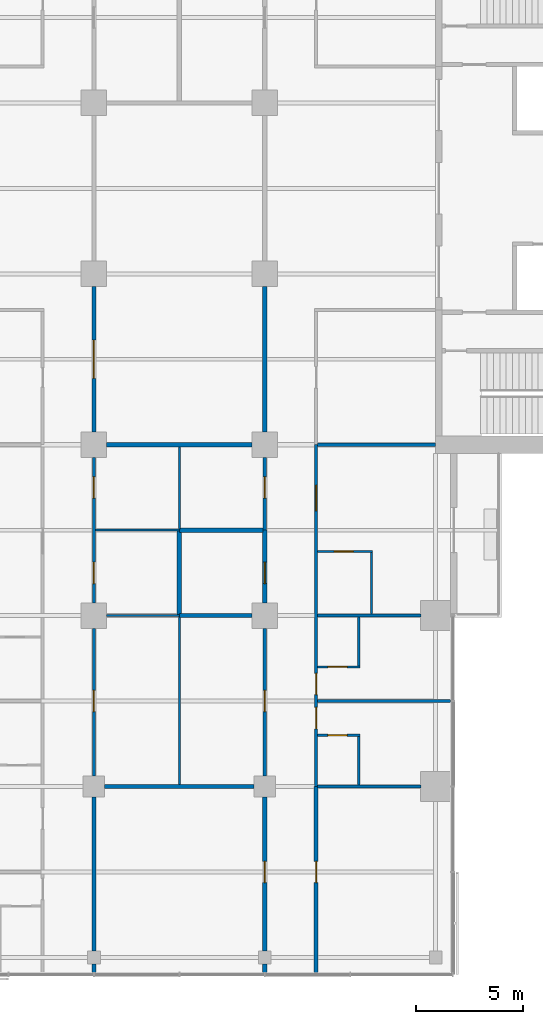
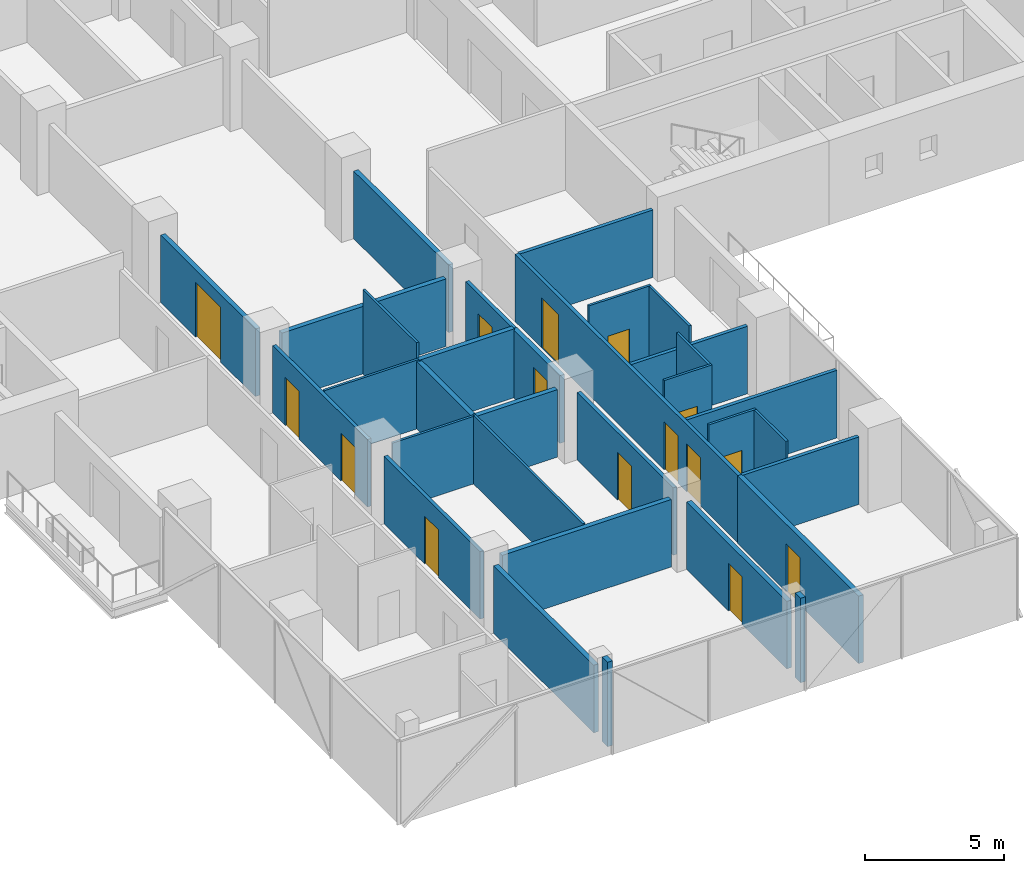
# One storey, part 16 of 27: 32 walls, 15 doors, 15 openings.
"""IFC4 building model written with IfcOpenShell, lengths in metres."""

from ifc_helpers import new_model, si_unit, direction, frame, frame_2d, origin, place, context, subcontext, project, spatial, rectangle, extrude, material, layer, layer_set, type_object, element, fill, save


model = new_model("IFC4")

# Units and contexts
model_context = context("Model", 3, precision=1e-05, world=origin(), true_north=direction((0.0, 1.0)))
body_context = subcontext(model_context, "Body", "Model", "MODEL_VIEW")
ifc_project = project(units=[si_unit("LENGTHUNIT", "METRE"), si_unit("AREAUNIT", "SQUARE_METRE"), si_unit("VOLUMEUNIT", "CUBIC_METRE"), si_unit("PLANEANGLEUNIT", "RADIAN"), si_unit("MASSUNIT", "GRAM", prefix="KILO")], contexts=[model_context])

# Site, building, storey
site_placement = place(None, origin())
site = spatial("IfcSite", under=ifc_project, at=site_placement, CompositionType="ELEMENT")
building_placement = place(site_placement, origin())
building = spatial("IfcBuilding", under=site, at=building_placement, Name="Crosswind Convention Tower", CompositionType="ELEMENT")
storey_placement = place(building_placement, frame((0.0, 0.0, 83.10009765625)))
storey = spatial("IfcBuildingStorey", under=building, at=storey_placement, Name="L15", CompositionType="ELEMENT", Elevation=83.10009765625)

# Walls
ifc_material_1 = material(Name="Concrete blockwork", Category="masonry")
ifc_layer_1 = layer(ifc_material_1, 0.199951171875)
ifc_layer_set_1 = layer_set([ifc_layer_1], Name="COMPARTMENT WALL 200")
wall_type_1 = type_object("IfcWallType", Name="COMPARTMENT WALL 200", PredefinedType="SOLIDWALL", material=ifc_layer_set_1)
wall_1_placement = place(storey_placement, frame((125.0, 80.0, 0.0), z_axis=(0.0, 0.0, 1.0), x_axis=(1.0, 0.0, 0.0)))
element("IfcWall", 1, at=wall_1_placement, inside=storey, type_object=wall_type_1, Name="Compartment Wall 12", PredefinedType="SOLIDWALL", context=body_context, shape_type="SweptSolid", body=[
    extrude(rectangle(XDim=3.39990234375, YDim=0.199951171875, at=frame_2d((1.699951171875, 0.0))), origin(), (0.0, 0.0, 1.0), 2.959716796875),
])
wall_2_placement = place(storey_placement, frame((125.0, 84.0, 0.0), z_axis=(0.0, 0.0, 1.0), x_axis=(1.0, 0.0, 0.0)))
element("IfcWall", 2, at=wall_2_placement, inside=storey, type_object=wall_type_1, Name="Compartment Wall 16", PredefinedType="SOLIDWALL", context=body_context, shape_type="SweptSolid", body=[
    extrude(rectangle(XDim=3.925048828125, YDim=0.199951171875, at=frame_2d((1.96240234375, 0.0))), origin(), (0.0, 0.0, 1.0), 3.013427734375),
])
wall_3_placement = place(storey_placement, frame((125.0, 80.050048828125, 0.0), z_axis=(0.0, 0.0, 1.0), x_axis=(0.0, 1.0, 0.0)))
element("IfcWall", 3, at=wall_3_placement, inside=storey, type_object=wall_type_1, Name="Compartment Wall 91", PredefinedType="SOLIDWALL", context=body_context, shape_type="SweptSolid", body=[
    extrude(rectangle(XDim=3.89990234375, YDim=0.199951171875, at=frame_2d((1.949951171875, 0.0))), origin(), (0.0, 0.0, 1.0), 2.959716796875),
])

# Wall, opening, door
wall_4_placement = place(storey_placement, frame((129.0, 80.60009765625, 0.0), z_axis=(0.0, 0.0, 1.0), x_axis=(0.0, 1.0, 0.0)))
wall_4 = element("IfcWall", 4, at=wall_4_placement, inside=storey, type_object=wall_type_1, Name="Compartment Wall 99", PredefinedType="SOLIDWALL", context=body_context, shape_type="SweptSolid", body=[
    extrude(rectangle(XDim=3.39990234375, YDim=0.199951171875, at=frame_2d((1.699951171875, 0.0))), origin(), (0.0, 0.0, 1.0), 2.959716796875),
])
opening_1_placement = place(wall_4_placement, frame((0.89990234375, 0.0, 0.0)))
opening_1 = element("IfcOpeningElement", 5, at=opening_1_placement, cuts=wall_4, Name="Opening 15.053", PredefinedType="OPENING", context=body_context, shape_type="SweptSolid", body=[
    extrude(rectangle(XDim=1.0, YDim=2.199951171875, at=frame_2d((0.5, 1.10009765625))), frame((0.0, 0.10986328125, 0.0), z_axis=(0.0, -1.0, 0.0), x_axis=(1.0, 0.0, 0.0)), (0.0, 0.0, 1.0), 0.219970703125),
])
ifc_material_2 = material(Name="Steel fire door", Category="steel")
door_type_1 = type_object("IfcDoorType", Name="PLANT ROOM DOOR 1000X2200", OperationType="NOTDEFINED", PredefinedType="DOOR", material=ifc_material_2)
door_1_placement = place(opening_1_placement, origin())
door_1 = element("IfcDoor", 6, at=door_1_placement, inside=storey, type_object=door_type_1, Name="Door 15.053", ObjectType="D6", OperationType="SINGLE_SWING_LEFT", OverallHeight=2.199951171875, OverallWidth=1.0, PredefinedType="DOOR", context=body_context, shape_type="SweptSolid", body=[
    extrude(rectangle(XDim=1.0, YDim=2.199951171875, at=frame_2d((0.5, 1.10009765625))), frame((0.0, 0.02490234375, 0.0), z_axis=(0.0, -1.0, 0.0), x_axis=(1.0, 0.0, 0.0)), (0.0, 0.0, 1.0), 0.050048828125),
])
fill(opening_1, door_1)

ifc_material_3 = material(Name="Plasterboard partition", Category="gypsum")
ifc_layer_2 = layer(ifc_material_3, 0.14990234375)
ifc_layer_set_2 = layer_set([ifc_layer_2], Name="CORRIDOR WALL 150")
wall_type_2 = type_object("IfcWallType", Name="CORRIDOR WALL 150", PredefinedType="PARTITIONING", material=ifc_layer_set_2)
wall_5_placement = place(storey_placement, frame((121.0, 72.5, 0.0), z_axis=(0.0, 0.0, 1.0), x_axis=(0.0, 1.0, 0.0)))
wall_5 = element("IfcWall", 7, at=wall_5_placement, inside=storey, type_object=wall_type_2, Name="Corridor Wall 81", PredefinedType="PARTITIONING", context=body_context, shape_type="SweptSolid", body=[
    extrude(rectangle(XDim=6.89990234375, YDim=0.14990234375, at=frame_2d((3.449951171875, 0.0))), origin(), (0.0, 0.0, 1.0), 2.959716796875),
])
opening_2_placement = place(wall_5_placement, frame((3.0, 0.0, 0.0)))
opening_2 = element("IfcOpeningElement", 8, at=opening_2_placement, cuts=wall_5, Name="Opening 15.049", PredefinedType="OPENING", context=body_context, shape_type="SweptSolid", body=[
    extrude(rectangle(XDim=1.0, YDim=2.10009765625, at=frame_2d((0.5, 1.050048828125))), frame((0.0, 0.0849609375, 0.0), z_axis=(0.0, -1.0, 0.0), x_axis=(1.0, 0.0, 0.0)), (0.0, 0.0, 1.0), 0.169921875),
])
ifc_material_4 = material(Name="Timber fire door", Category="wood")
door_type_2 = type_object("IfcDoorType", Name="SERVICE ROOM DOOR 1000X2100", OperationType="NOTDEFINED", PredefinedType="DOOR", material=ifc_material_4)
door_2_placement = place(opening_2_placement, frame((1.0, 0.0, 0.0), z_axis=(0.0, 0.0, 1.0), x_axis=(-1.0, 0.0, 0.0)))
door_2 = element("IfcDoor", 9, at=door_2_placement, inside=storey, type_object=door_type_2, Name="Door 15.049", ObjectType="D3", OperationType="SINGLE_SWING_LEFT", OverallHeight=2.10009765625, OverallWidth=1.0, PredefinedType="DOOR", context=body_context, shape_type="SweptSolid", body=[
    extrude(rectangle(XDim=1.0, YDim=2.10009765625, at=frame_2d((0.5, 1.050048828125))), frame((0.0, 0.02490234375, 0.0), z_axis=(0.0, -1.0, 0.0), x_axis=(1.0, 0.0, 0.0)), (0.0, 0.0, 1.0), 0.050048828125),
])
fill(opening_2, door_2)

# Wall, openings, doors
wall_6_placement = place(storey_placement, frame((121.0, 80.60009765625, 0.0), z_axis=(0.0, 0.0, 1.0), x_axis=(0.0, 1.0, 0.0)))
wall_6 = element("IfcWall", 10, at=wall_6_placement, inside=storey, type_object=wall_type_2, Name="Corridor Wall 82", PredefinedType="PARTITIONING", context=body_context, shape_type="SweptSolid", body=[
    extrude(rectangle(XDim=6.7998046875, YDim=0.14990234375, at=frame_2d((3.39990234375, 0.0))), origin(), (0.0, 0.0, 1.0), 2.959716796875),
])
opening_3_placement = place(wall_6_placement, frame((0.89990234375, 0.0, 0.0)))
opening_3 = element("IfcOpeningElement", 11, at=opening_3_placement, cuts=wall_6, Name="Opening 15.051", PredefinedType="OPENING", context=body_context, shape_type="SweptSolid", body=[
    extrude(rectangle(XDim=1.0, YDim=2.10009765625, at=frame_2d((0.5, 1.050048828125))), frame((0.0, 0.0849609375, 0.0), z_axis=(0.0, -1.0, 0.0), x_axis=(1.0, 0.0, 0.0)), (0.0, 0.0, 1.0), 0.169921875),
])
opening_4_placement = place(wall_6_placement, frame((4.89990234375, 0.0, 0.0)))
opening_4 = element("IfcOpeningElement", 12, at=opening_4_placement, cuts=wall_6, Name="Opening 15.052", PredefinedType="OPENING", context=body_context, shape_type="SweptSolid", body=[
    extrude(rectangle(XDim=1.0, YDim=2.10009765625, at=frame_2d((0.5, 1.050048828125))), frame((0.0, 0.0849609375, 0.0), z_axis=(0.0, -1.0, 0.0), x_axis=(1.0, 0.0, 0.0)), (0.0, 0.0, 1.0), 0.169921875),
])
door_3_placement = place(opening_3_placement, frame((1.0, 0.0, 0.0), z_axis=(0.0, 0.0, 1.0), x_axis=(-1.0, 0.0, 0.0)))
door_3 = element("IfcDoor", 13, at=door_3_placement, inside=storey, type_object=door_type_2, Name="Door 15.051", ObjectType="D3", OperationType="SINGLE_SWING_RIGHT", OverallHeight=2.10009765625, OverallWidth=1.0, PredefinedType="DOOR", context=body_context, shape_type="SweptSolid", body=[
    extrude(rectangle(XDim=1.0, YDim=2.10009765625, at=frame_2d((0.5, 1.050048828125))), frame((0.0, 0.02490234375, 0.0), z_axis=(0.0, -1.0, 0.0), x_axis=(1.0, 0.0, 0.0)), (0.0, 0.0, 1.0), 0.050048828125),
])
fill(opening_3, door_3)
door_4_placement = place(opening_4_placement, frame((1.0, 0.0, 0.0), z_axis=(0.0, 0.0, 1.0), x_axis=(-1.0, 0.0, 0.0)))
door_4 = element("IfcDoor", 14, at=door_4_placement, inside=storey, type_object=door_type_2, Name="Door 15.052", ObjectType="D3", OperationType="SINGLE_SWING_LEFT", OverallHeight=2.10009765625, OverallWidth=1.0, PredefinedType="DOOR", context=body_context, shape_type="SweptSolid", body=[
    extrude(rectangle(XDim=1.0, YDim=2.10009765625, at=frame_2d((0.5, 1.050048828125))), frame((0.0, 0.02490234375, 0.0), z_axis=(0.0, -1.0, 0.0), x_axis=(1.0, 0.0, 0.0)), (0.0, 0.0, 1.0), 0.050048828125),
])
fill(opening_4, door_4)

# Wall, opening, door
wall_7_placement = place(storey_placement, frame((129.0, 72.5, 0.0), z_axis=(0.0, 0.0, 1.0), x_axis=(0.0, 1.0, 0.0)))
wall_7 = element("IfcWall", 15, at=wall_7_placement, inside=storey, type_object=wall_type_2, Name="Corridor Wall 98", PredefinedType="PARTITIONING", context=body_context, shape_type="SweptSolid", body=[
    extrude(rectangle(XDim=6.89990234375, YDim=0.14990234375, at=frame_2d((3.449951171875, 0.0))), origin(), (0.0, 0.0, 1.0), 2.959716796875),
])
opening_5_placement = place(wall_7_placement, frame((3.0, 0.0, 0.0)))
opening_5 = element("IfcOpeningElement", 16, at=opening_5_placement, cuts=wall_7, Name="Opening 15.050", PredefinedType="OPENING", context=body_context, shape_type="SweptSolid", body=[
    extrude(rectangle(XDim=1.0, YDim=2.10009765625, at=frame_2d((0.5, 1.050048828125))), frame((0.0, 0.0849609375, 0.0), z_axis=(0.0, -1.0, 0.0), x_axis=(1.0, 0.0, 0.0)), (0.0, 0.0, 1.0), 0.169921875),
])
door_5_placement = place(opening_5_placement, origin())
door_5 = element("IfcDoor", 17, at=door_5_placement, inside=storey, type_object=door_type_2, Name="Door 15.050", ObjectType="D3", OperationType="SINGLE_SWING_RIGHT", OverallHeight=2.10009765625, OverallWidth=1.0, PredefinedType="DOOR", context=body_context, shape_type="SweptSolid", body=[
    extrude(rectangle(XDim=1.0, YDim=2.10009765625, at=frame_2d((0.5, 1.050048828125))), frame((0.0, 0.02490234375, 0.0), z_axis=(0.0, -1.0, 0.0), x_axis=(1.0, 0.0, 0.0)), (0.0, 0.0, 1.0), 0.050048828125),
])
fill(opening_5, door_5)

wall_8_placement = place(storey_placement, frame((129.0, 84.0, 0.0), z_axis=(0.0, 0.0, 1.0), x_axis=(0.0, 1.0, 0.0)))
wall_8 = element("IfcWall", 18, at=wall_8_placement, inside=storey, type_object=wall_type_2, Name="Corridor Wall 100", PredefinedType="PARTITIONING", context=body_context, shape_type="SweptSolid", body=[
    extrude(rectangle(XDim=3.39990234375, YDim=0.14990234375, at=frame_2d((1.699951171875, 0.0))), origin(), (0.0, 0.0, 1.0), 2.959716796875),
])
opening_6_placement = place(wall_8_placement, frame((1.5, 0.0, 0.0)))
opening_6 = element("IfcOpeningElement", 19, at=opening_6_placement, cuts=wall_8, Name="Opening 15.054", PredefinedType="OPENING", context=body_context, shape_type="SweptSolid", body=[
    extrude(rectangle(XDim=1.0, YDim=2.10009765625, at=frame_2d((0.5, 1.050048828125))), frame((0.0, 0.0849609375, 0.0), z_axis=(0.0, -1.0, 0.0), x_axis=(1.0, 0.0, 0.0)), (0.0, 0.0, 1.0), 0.169921875),
])
door_6_placement = place(opening_6_placement, origin())
door_6 = element("IfcDoor", 20, at=door_6_placement, inside=storey, type_object=door_type_2, Name="Door 15.054", ObjectType="D3", OperationType="SINGLE_SWING_RIGHT", OverallHeight=2.10009765625, OverallWidth=1.0, PredefinedType="DOOR", context=body_context, shape_type="SweptSolid", body=[
    extrude(rectangle(XDim=1.0, YDim=2.10009765625, at=frame_2d((0.5, 1.050048828125))), frame((0.0, 0.02490234375, 0.0), z_axis=(0.0, -1.0, 0.0), x_axis=(1.0, 0.0, 0.0)), (0.0, 0.0, 1.0), 0.050048828125),
])
fill(opening_6, door_6)

# Walls
ifc_material_5 = material(Name="Acoustic plasterboard partition", Category="gypsum")
ifc_layer_3 = layer(ifc_material_5, 0.14990234375)
ifc_layer_set_3 = layer_set([ifc_layer_3], Name="GUEST ROOM WALL 150")
wall_type_3 = type_object("IfcWallType", Name="GUEST ROOM WALL 150", PredefinedType="PARTITIONING", material=ifc_layer_set_3)
wall_9_placement = place(storey_placement, frame((131.47509765625, 72.0, 0.0), z_axis=(0.0, 0.0, 1.0), x_axis=(1.0, 0.0, 0.0)))
element("IfcWall", 21, at=wall_9_placement, inside=storey, type_object=wall_type_3, Name="Guest Room Wall 4", PredefinedType="PARTITIONING", context=body_context, shape_type="SweptSolid", body=[
    extrude(rectangle(XDim=4.824951171875, YDim=0.14990234375, at=frame_2d((2.41259765625, 0.0))), origin(), (0.0, 0.0, 1.0), 2.959716796875),
])
wall_10_placement = place(storey_placement, frame((131.47509765625, 76.0, 0.0), z_axis=(0.0, 0.0, 1.0), x_axis=(1.0, 0.0, 0.0)))
element("IfcWall", 22, at=wall_10_placement, inside=storey, type_object=wall_type_3, Name="Guest Room Wall 8", PredefinedType="PARTITIONING", context=body_context, shape_type="SweptSolid", body=[
    extrude(rectangle(XDim=6.224853515625, YDim=0.14990234375, at=frame_2d((3.1123046875, 0.0))), origin(), (0.0, 0.0, 1.0), 2.962646484375),
])
wall_11_placement = place(storey_placement, frame((131.47509765625, 80.0, 0.0), z_axis=(0.0, 0.0, 1.0), x_axis=(1.0, 0.0, 0.0)))
element("IfcWall", 23, at=wall_11_placement, inside=storey, type_object=wall_type_3, Name="Guest Room Wall 13", PredefinedType="PARTITIONING", context=body_context, shape_type="SweptSolid", body=[
    extrude(rectangle(XDim=4.824951171875, YDim=0.14990234375, at=frame_2d((2.41259765625, 0.0))), origin(), (0.0, 0.0, 1.0), 2.959716796875),
])
wall_12_placement = place(storey_placement, frame((131.47509765625, 88.0, 0.0), z_axis=(0.0, 0.0, 1.0), x_axis=(1.0, 0.0, 0.0)))
element("IfcWall", 24, at=wall_12_placement, inside=storey, type_object=wall_type_3, Name="Guest Room Wall 19", PredefinedType="PARTITIONING", context=body_context, shape_type="SweptSolid", body=[
    extrude(rectangle(XDim=5.52490234375, YDim=0.14990234375, at=frame_2d((2.762451171875, 0.0))), origin(), (0.0, 0.0, 1.0), 2.956298828125),
])

# Wall, openings, doors
wall_13_placement = place(storey_placement, frame((131.39990234375, 72.0, 0.0), z_axis=(0.0, 0.0, 1.0), x_axis=(0.0, 1.0, 0.0)))
wall_13 = element("IfcWall", 25, at=wall_13_placement, inside=storey, type_object=wall_type_3, Name="Guest Room Wall 109", PredefinedType="PARTITIONING", context=body_context, shape_type="SweptSolid", body=[
    extrude(rectangle(XDim=16.0, YDim=0.14990234375, at=frame_2d((8.0, 0.0))), origin(), (0.0, 0.0, 1.0), 2.956298828125),
])
opening_7_placement = place(wall_13_placement, frame((12.89990234375, 0.0, 0.0)))
opening_7 = element("IfcOpeningElement", 26, at=opening_7_placement, cuts=wall_13, Name="Opening 15.020", PredefinedType="OPENING", context=body_context, shape_type="SweptSolid", body=[
    extrude(rectangle(XDim=1.199951171875, YDim=2.199951171875, at=frame_2d((0.60009765625, 1.10009765625))), frame((0.0, 0.0849609375, 0.0), z_axis=(0.0, -1.0, 0.0), x_axis=(1.0, 0.0, 0.0)), (0.0, 0.0, 1.0), 0.169921875),
])
opening_8_placement = place(wall_13_placement, frame((4.300048828125, 0.0, 0.0)))
opening_8 = element("IfcOpeningElement", 27, at=opening_8_placement, cuts=wall_13, Name="Opening 15.022", PredefinedType="OPENING", context=body_context, shape_type="SweptSolid", body=[
    extrude(rectangle(XDim=1.0, YDim=2.10009765625, at=frame_2d((0.5, 1.050048828125))), frame((0.0, 0.0849609375, 0.0), z_axis=(0.0, -1.0, 0.0), x_axis=(1.0, 0.0, 0.0)), (0.0, 0.0, 1.0), 0.169921875),
])
opening_9_placement = place(wall_13_placement, frame((2.699951171875, 0.0, 0.0)))
opening_9 = element("IfcOpeningElement", 28, at=opening_9_placement, cuts=wall_13, Name="Opening 15.024", PredefinedType="OPENING", context=body_context, shape_type="SweptSolid", body=[
    extrude(rectangle(XDim=1.0, YDim=2.10009765625, at=frame_2d((0.5, 1.050048828125))), frame((0.0, 0.0849609375, 0.0), z_axis=(0.0, -1.0, 0.0), x_axis=(1.0, 0.0, 0.0)), (0.0, 0.0, 1.0), 0.169921875),
])
door_type_3 = type_object("IfcDoorType", Name="GUEST ROOM DOOR 1000X2100", OperationType="NOTDEFINED", PredefinedType="DOOR", material=ifc_material_4)
door_7_placement = place(opening_8_placement, frame((1.0, 0.0, 0.0), z_axis=(0.0, 0.0, 1.0), x_axis=(-1.0, 0.0, 0.0)))
door_7 = element("IfcDoor", 29, at=door_7_placement, inside=storey, type_object=door_type_3, Name="Door 15.022", ObjectType="D1", OperationType="SINGLE_SWING_LEFT", OverallHeight=2.10009765625, OverallWidth=1.0, PredefinedType="DOOR", context=body_context, shape_type="SweptSolid", body=[
    extrude(rectangle(XDim=1.0, YDim=2.10009765625, at=frame_2d((0.5, 1.050048828125))), frame((0.0, 0.02490234375, 0.0), z_axis=(0.0, -1.0, 0.0), x_axis=(1.0, 0.0, 0.0)), (0.0, 0.0, 1.0), 0.050048828125),
])
fill(opening_8, door_7)
door_8_placement = place(opening_9_placement, frame((1.0, 0.0, 0.0), z_axis=(0.0, 0.0, 1.0), x_axis=(-1.0, 0.0, 0.0)))
door_8 = element("IfcDoor", 30, at=door_8_placement, inside=storey, type_object=door_type_3, Name="Door 15.024", ObjectType="D1", OperationType="SINGLE_SWING_LEFT", OverallHeight=2.10009765625, OverallWidth=1.0, PredefinedType="DOOR", context=body_context, shape_type="SweptSolid", body=[
    extrude(rectangle(XDim=1.0, YDim=2.10009765625, at=frame_2d((0.5, 1.050048828125))), frame((0.0, 0.02490234375, 0.0), z_axis=(0.0, -1.0, 0.0), x_axis=(1.0, 0.0, 0.0)), (0.0, 0.0, 1.0), 0.050048828125),
])
fill(opening_9, door_8)
door_type_4 = type_object("IfcDoorType", Name="SUITE DOOR 1200X2200", OperationType="DOUBLE_DOOR_SINGLE_SWING", PredefinedType="DOOR", material=ifc_material_4)
door_9_placement = place(opening_7_placement, frame((1.199951171875, 0.0, 0.0), z_axis=(0.0, 0.0, 1.0), x_axis=(-1.0, 0.0, 0.0)))
door_9 = element("IfcDoor", 31, at=door_9_placement, inside=storey, type_object=door_type_4, Name="Door 15.020", ObjectType="D14", OperationType="DOUBLE_DOOR_SINGLE_SWING", OverallHeight=2.199951171875, OverallWidth=1.199951171875, PredefinedType="DOOR", context=body_context, shape_type="SweptSolid", body=[
    extrude(rectangle(XDim=1.199951171875, YDim=2.199951171875, at=frame_2d((0.60009765625, 1.10009765625))), frame((0.0, 0.02490234375, 0.0), z_axis=(0.0, -1.0, 0.0), x_axis=(1.0, 0.0, 0.0)), (0.0, 0.0, 1.0), 0.050048828125),
])
fill(opening_7, door_9)

# Walls
ifc_material_6 = material(Name="Double plasterboard partition", Category="gypsum")
ifc_layer_4 = layer(ifc_material_6, 0.199951171875)
ifc_layer_set_4 = layer_set([ifc_layer_4], Name="HALL WALL 200")
wall_type_4 = type_object("IfcWallType", Name="HALL WALL 200", PredefinedType="PARTITIONING", material=ifc_layer_set_4)
wall_14_placement = place(storey_placement, frame((121.5, 72.0, 0.0), z_axis=(0.0, 0.0, 1.0), x_axis=(1.0, 0.0, 0.0)))
element("IfcWall", 32, at=wall_14_placement, inside=storey, type_object=wall_type_4, Name="Hall Wall 3", PredefinedType="PARTITIONING", context=body_context, shape_type="SweptSolid", body=[
    extrude(rectangle(XDim=7.0, YDim=0.199951171875, at=frame_2d((3.5, 0.0))), origin(), (0.0, 0.0, 1.0), 2.959716796875),
])
wall_15_placement = place(storey_placement, frame((121.60009765625, 88.0, 0.0), z_axis=(0.0, 0.0, 1.0), x_axis=(1.0, 0.0, 0.0)))
element("IfcWall", 33, at=wall_15_placement, inside=storey, type_object=wall_type_4, Name="Hall Wall 18", PredefinedType="PARTITIONING", context=body_context, shape_type="SweptSolid", body=[
    extrude(rectangle(XDim=6.7998046875, YDim=0.199951171875, at=frame_2d((3.39990234375, 0.0))), origin(), (0.0, 0.0, 1.0), 2.959716796875),
])
wall_16_placement = place(storey_placement, frame((121.0, 63.300048828125, 0.0), z_axis=(0.0, 0.0, 1.0), x_axis=(0.0, 1.0, 0.0)))
element("IfcWall", 34, at=wall_16_placement, inside=storey, type_object=wall_type_4, Name="Hall Wall 79", PredefinedType="PARTITIONING", context=body_context, shape_type="SweptSolid", body=[
    extrude(rectangle(XDim=0.39990234375, YDim=0.199951171875, at=frame_2d((0.199951171875, 0.0))), origin(), (0.0, 0.0, 1.0), 3.699951171875),
])
wall_17_placement = place(storey_placement, frame((121.0, 64.300048828125, 0.0), z_axis=(0.0, 0.0, 1.0), x_axis=(0.0, 1.0, 0.0)))
element("IfcWall", 35, at=wall_17_placement, inside=storey, type_object=wall_type_4, Name="Hall Wall 80", PredefinedType="PARTITIONING", context=body_context, shape_type="SweptSolid", body=[
    extrude(rectangle(XDim=7.199951171875, YDim=0.199951171875, at=frame_2d((3.60009765625, 0.0))), origin(), (0.0, 0.0, 1.0), 2.959716796875),
])

# Wall, opening, door
wall_18_placement = place(storey_placement, frame((121.0, 88.60009765625, 0.0), z_axis=(0.0, 0.0, 1.0), x_axis=(0.0, 1.0, 0.0)))
wall_18 = element("IfcWall", 36, at=wall_18_placement, inside=storey, type_object=wall_type_4, Name="Hall Wall 83", PredefinedType="PARTITIONING", context=body_context, shape_type="SweptSolid", body=[
    extrude(rectangle(XDim=6.7998046875, YDim=0.199951171875, at=frame_2d((3.39990234375, 0.0))), origin(), (0.0, 0.0, 1.0), 2.959716796875),
])
opening_10_placement = place(wall_18_placement, frame((2.5, 0.0, 0.0)))
opening_10 = element("IfcOpeningElement", 37, at=opening_10_placement, cuts=wall_18, Name="Opening 15.055", PredefinedType="OPENING", context=body_context, shape_type="SweptSolid", body=[
    extrude(rectangle(XDim=1.800048828125, YDim=2.39990234375, at=frame_2d((0.89990234375, 1.199951171875))), frame((0.0, 0.10986328125, 0.0), z_axis=(0.0, -1.0, 0.0), x_axis=(1.0, 0.0, 0.0)), (0.0, 0.0, 1.0), 0.219970703125),
])
door_type_5 = type_object("IfcDoorType", Name="HALL DOUBLE DOOR 1800X2400", OperationType="DOUBLE_DOOR_SINGLE_SWING", PredefinedType="DOOR", material=ifc_material_4)
door_10_placement = place(opening_10_placement, origin())
door_10 = element("IfcDoor", 38, at=door_10_placement, inside=storey, type_object=door_type_5, Name="Door 15.055", ObjectType="D5", OperationType="DOUBLE_DOOR_SINGLE_SWING", OverallHeight=2.39990234375, OverallWidth=1.800048828125, PredefinedType="DOOR", context=body_context, shape_type="SweptSolid", body=[
    extrude(rectangle(XDim=1.800048828125, YDim=2.39990234375, at=frame_2d((0.89990234375, 1.199951171875))), frame((0.0, 0.02490234375, 0.0), z_axis=(0.0, -1.0, 0.0), x_axis=(1.0, 0.0, 0.0)), (0.0, 0.0, 1.0), 0.050048828125),
])
fill(opening_10, door_10)

# Wall
wall_19_placement = place(storey_placement, frame((129.0, 63.300048828125, 0.0), z_axis=(0.0, 0.0, 1.0), x_axis=(0.0, 1.0, 0.0)))
element("IfcWall", 39, at=wall_19_placement, inside=storey, type_object=wall_type_4, Name="Hall Wall 96", PredefinedType="PARTITIONING", context=body_context, shape_type="SweptSolid", body=[
    extrude(rectangle(XDim=0.39990234375, YDim=0.199951171875, at=frame_2d((0.199951171875, 0.0))), origin(), (0.0, 0.0, 1.0), 3.699951171875),
])

# Wall, opening, door
wall_20_placement = place(storey_placement, frame((129.0, 64.300048828125, 0.0), z_axis=(0.0, 0.0, 1.0), x_axis=(0.0, 1.0, 0.0)))
wall_20 = element("IfcWall", 40, at=wall_20_placement, inside=storey, type_object=wall_type_4, Name="Hall Wall 97", PredefinedType="PARTITIONING", context=body_context, shape_type="SweptSolid", body=[
    extrude(rectangle(XDim=7.199951171875, YDim=0.199951171875, at=frame_2d((3.60009765625, 0.0))), origin(), (0.0, 0.0, 1.0), 2.959716796875),
])
opening_11_placement = place(wall_20_placement, frame((3.199951171875, 0.0, 0.0)))
opening_11 = element("IfcOpeningElement", 41, at=opening_11_placement, cuts=wall_20, Name="Opening 15.048", PredefinedType="OPENING", context=body_context, shape_type="SweptSolid", body=[
    extrude(rectangle(XDim=1.0, YDim=2.10009765625, at=frame_2d((0.5, 1.050048828125))), frame((0.0, 0.10986328125, 0.0), z_axis=(0.0, -1.0, 0.0), x_axis=(1.0, 0.0, 0.0)), (0.0, 0.0, 1.0), 0.219970703125),
])
door_type_6 = type_object("IfcDoorType", Name="MEETING ROOM DOOR 1000X2100", OperationType="NOTDEFINED", PredefinedType="DOOR", material=ifc_material_4)
door_11_placement = place(opening_11_placement, frame((1.0, 0.0, 0.0), z_axis=(0.0, 0.0, 1.0), x_axis=(-1.0, 0.0, 0.0)))
door_11 = element("IfcDoor", 42, at=door_11_placement, inside=storey, type_object=door_type_6, Name="Door 15.048", ObjectType="D13", OperationType="SINGLE_SWING_LEFT", OverallHeight=2.10009765625, OverallWidth=1.0, PredefinedType="DOOR", context=body_context, shape_type="SweptSolid", body=[
    extrude(rectangle(XDim=1.0, YDim=2.10009765625, at=frame_2d((0.5, 1.050048828125))), frame((0.0, 0.02490234375, 0.0), z_axis=(0.0, -1.0, 0.0), x_axis=(1.0, 0.0, 0.0)), (0.0, 0.0, 1.0), 0.050048828125),
])
fill(opening_11, door_11)

# Wall
wall_21_placement = place(storey_placement, frame((129.0, 88.60009765625, 0.0), z_axis=(0.0, 0.0, 1.0), x_axis=(0.0, 1.0, 0.0)))
element("IfcWall", 43, at=wall_21_placement, inside=storey, type_object=wall_type_4, Name="Hall Wall 101", PredefinedType="PARTITIONING", context=body_context, shape_type="SweptSolid", body=[
    extrude(rectangle(XDim=6.7998046875, YDim=0.199951171875, at=frame_2d((3.39990234375, 0.0))), origin(), (0.0, 0.0, 1.0), 2.959716796875),
])

# Wall, opening, door
wall_22_placement = place(storey_placement, frame((131.39990234375, 63.300048828125, 0.0), z_axis=(0.0, 0.0, 1.0), x_axis=(0.0, 1.0, 0.0)))
wall_22 = element("IfcWall", 44, at=wall_22_placement, inside=storey, type_object=wall_type_4, Name="Hall Wall 108", PredefinedType="PARTITIONING", context=body_context, shape_type="SweptSolid", body=[
    extrude(rectangle(XDim=8.699951171875, YDim=0.199951171875, at=frame_2d((4.35009765625, 0.0))), origin(), (0.0, 0.0, 1.0), 2.959716796875),
])
opening_12_placement = place(wall_22_placement, frame((4.199951171875, 0.0, 0.0)))
opening_12 = element("IfcOpeningElement", 45, at=opening_12_placement, cuts=wall_22, Name="Opening 15.026", PredefinedType="OPENING", context=body_context, shape_type="SweptSolid", body=[
    extrude(rectangle(XDim=1.0, YDim=2.10009765625, at=frame_2d((0.5, 1.050048828125))), frame((0.0, 0.10986328125, 0.0), z_axis=(0.0, -1.0, 0.0), x_axis=(1.0, 0.0, 0.0)), (0.0, 0.0, 1.0), 0.219970703125),
])
door_12_placement = place(opening_12_placement, frame((1.0, 0.0, 0.0), z_axis=(0.0, 0.0, 1.0), x_axis=(-1.0, 0.0, 0.0)))
door_12 = element("IfcDoor", 46, at=door_12_placement, inside=storey, type_object=door_type_6, Name="Door 15.026", ObjectType="D13", OperationType="SINGLE_SWING_LEFT", OverallHeight=2.10009765625, OverallWidth=1.0, PredefinedType="DOOR", context=body_context, shape_type="SweptSolid", body=[
    extrude(rectangle(XDim=1.0, YDim=2.10009765625, at=frame_2d((0.5, 1.050048828125))), frame((0.0, 0.02490234375, 0.0), z_axis=(0.0, -1.0, 0.0), x_axis=(1.0, 0.0, 0.0)), (0.0, 0.0, 1.0), 0.050048828125),
])
fill(opening_12, door_12)

# Walls
ifc_layer_5 = layer(ifc_material_3, 0.10009765625)
ifc_layer_set_5 = layer_set([ifc_layer_5], Name="PARTITION 100")
wall_type_5 = type_object("IfcWallType", Name="PARTITION 100", PredefinedType="PARTITIONING", material=ifc_layer_set_5)
wall_23_placement = place(storey_placement, frame((121.60009765625, 80.0, 0.0), z_axis=(0.0, 0.0, 1.0), x_axis=(1.0, 0.0, 0.0)))
element("IfcWall", 47, at=wall_23_placement, inside=storey, type_object=wall_type_5, Name="Partition 11", PredefinedType="PARTITIONING", context=body_context, shape_type="SweptSolid", body=[
    extrude(rectangle(XDim=3.39990234375, YDim=0.10009765625, at=frame_2d((1.699951171875, 0.0))), origin(), (0.0, 0.0, 1.0), 2.959716796875),
])
wall_24_placement = place(storey_placement, frame((121.074951171875, 84.0, 0.0), z_axis=(0.0, 0.0, 1.0), x_axis=(1.0, 0.0, 0.0)))
element("IfcWall", 48, at=wall_24_placement, inside=storey, type_object=wall_type_5, Name="Partition 15", PredefinedType="PARTITIONING", context=body_context, shape_type="SweptSolid", body=[
    extrude(rectangle(XDim=3.925048828125, YDim=0.10009765625, at=frame_2d((1.96240234375, 0.0))), origin(), (0.0, 0.0, 1.0), 3.013427734375),
])
wall_25_placement = place(storey_placement, frame((125.0, 72.10009765625, 0.0), z_axis=(0.0, 0.0, 1.0), x_axis=(0.0, 1.0, 0.0)))
element("IfcWall", 49, at=wall_25_placement, inside=storey, type_object=wall_type_5, Name="Partition 90", PredefinedType="PARTITIONING", context=body_context, shape_type="SweptSolid", body=[
    extrude(rectangle(XDim=7.849853515625, YDim=0.10009765625, at=frame_2d((3.9248046875, 0.0))), origin(), (0.0, 0.0, 1.0), 3.013427734375),
])
wall_26_placement = place(storey_placement, frame((125.0, 84.050048828125, 0.0), z_axis=(0.0, 0.0, 1.0), x_axis=(0.0, 1.0, 0.0)))
element("IfcWall", 50, at=wall_26_placement, inside=storey, type_object=wall_type_5, Name="Partition 92", PredefinedType="PARTITIONING", context=body_context, shape_type="SweptSolid", body=[
    extrude(rectangle(XDim=3.849853515625, YDim=0.10009765625, at=frame_2d((1.9248046875, 0.0))), origin(), (0.0, 0.0, 1.0), 3.699951171875),
])

# Wall, opening, door
ifc_material_7 = material(Name="Water-resistant plasterboard partition", Category="gypsum")
ifc_layer_6 = layer(ifc_material_7, 0.10009765625)
ifc_layer_set_6 = layer_set([ifc_layer_6], Name="WET ROOM PARTITION 100")
wall_type_6 = type_object("IfcWallType", Name="WET ROOM PARTITION 100", PredefinedType="PLUMBINGWALL", material=ifc_layer_set_6)
wall_27_placement = place(storey_placement, frame((131.47509765625, 74.39990234375, 0.0), z_axis=(0.0, 0.0, 1.0), x_axis=(1.0, 0.0, 0.0)))
wall_27 = element("IfcWall", 51, at=wall_27_placement, inside=storey, type_object=wall_type_6, Name="Wet Room Partition 6", PredefinedType="PLUMBINGWALL", context=body_context, shape_type="SweptSolid", body=[
    extrude(rectangle(XDim=1.974853515625, YDim=0.10009765625, at=frame_2d((0.9873046875, 0.0))), origin(), (0.0, 0.0, 1.0), 3.699951171875),
])
opening_13_placement = place(wall_27_placement, frame((0.47509765625, 0.0, 0.0)))
opening_13 = element("IfcOpeningElement", 52, at=opening_13_placement, cuts=wall_27, Name="Opening 15.025", PredefinedType="OPENING", context=body_context, shape_type="SweptSolid", body=[
    extrude(rectangle(XDim=0.89990234375, YDim=2.10009765625, at=frame_2d((0.449951171875, 1.050048828125))), frame((0.0, 0.06005859375, 0.0), z_axis=(0.0, -1.0, 0.0), x_axis=(1.0, 0.0, 0.0)), (0.0, 0.0, 1.0), 0.1201171875),
])
ifc_material_8 = material(Name="Timber door", Category="wood")
door_type_7 = type_object("IfcDoorType", Name="EN-SUITE DOOR 900X2100", OperationType="NOTDEFINED", PredefinedType="DOOR", material=ifc_material_8)
door_13_placement = place(opening_13_placement, frame((0.89990234375, 0.0, 0.0), z_axis=(0.0, 0.0, 1.0), x_axis=(-1.0, 0.0, 0.0)))
door_13 = element("IfcDoor", 53, at=door_13_placement, inside=storey, type_object=door_type_7, Name="Door 15.025", ObjectType="D2", OperationType="SINGLE_SWING_LEFT", OverallHeight=2.10009765625, OverallWidth=0.89990234375, PredefinedType="DOOR", context=body_context, shape_type="SweptSolid", body=[
    extrude(rectangle(XDim=0.89990234375, YDim=2.10009765625, at=frame_2d((0.449951171875, 1.050048828125))), frame((0.0, 0.02490234375, 0.0), z_axis=(0.0, -1.0, 0.0), x_axis=(1.0, 0.0, 0.0)), (0.0, 0.0, 1.0), 0.050048828125),
])
fill(opening_13, door_13)

wall_28_placement = place(storey_placement, frame((131.47509765625, 77.60009765625, 0.0), z_axis=(0.0, 0.0, 1.0), x_axis=(1.0, 0.0, 0.0)))
wall_28 = element("IfcWall", 54, at=wall_28_placement, inside=storey, type_object=wall_type_6, Name="Wet Room Partition 9", PredefinedType="PLUMBINGWALL", context=body_context, shape_type="SweptSolid", body=[
    extrude(rectangle(XDim=1.974853515625, YDim=0.10009765625, at=frame_2d((0.9873046875, 0.0))), origin(), (0.0, 0.0, 1.0), 3.699951171875),
])
opening_14_placement = place(wall_28_placement, frame((0.47509765625, 0.0, 0.0)))
opening_14 = element("IfcOpeningElement", 55, at=opening_14_placement, cuts=wall_28, Name="Opening 15.023", PredefinedType="OPENING", context=body_context, shape_type="SweptSolid", body=[
    extrude(rectangle(XDim=0.89990234375, YDim=2.10009765625, at=frame_2d((0.449951171875, 1.050048828125))), frame((0.0, 0.06005859375, 0.0), z_axis=(0.0, -1.0, 0.0), x_axis=(1.0, 0.0, 0.0)), (0.0, 0.0, 1.0), 0.1201171875),
])
door_14_placement = place(opening_14_placement, origin())
door_14 = element("IfcDoor", 56, at=door_14_placement, inside=storey, type_object=door_type_7, Name="Door 15.023", ObjectType="D2", OperationType="SINGLE_SWING_RIGHT", OverallHeight=2.10009765625, OverallWidth=0.89990234375, PredefinedType="DOOR", context=body_context, shape_type="SweptSolid", body=[
    extrude(rectangle(XDim=0.89990234375, YDim=2.10009765625, at=frame_2d((0.449951171875, 1.050048828125))), frame((0.0, 0.02490234375, 0.0), z_axis=(0.0, -1.0, 0.0), x_axis=(1.0, 0.0, 0.0)), (0.0, 0.0, 1.0), 0.050048828125),
])
fill(opening_14, door_14)

wall_29_placement = place(storey_placement, frame((131.47509765625, 83.0, 0.0), z_axis=(0.0, 0.0, 1.0), x_axis=(1.0, 0.0, 0.0)))
wall_29 = element("IfcWall", 57, at=wall_29_placement, inside=storey, type_object=wall_type_6, Name="Wet Room Partition 14", PredefinedType="PLUMBINGWALL", context=body_context, shape_type="SweptSolid", body=[
    extrude(rectangle(XDim=2.574951171875, YDim=0.10009765625, at=frame_2d((1.28759765625, 0.0))), origin(), (0.0, 0.0, 1.0), 3.699951171875),
])
opening_15_placement = place(wall_29_placement, frame((0.77490234375, 0.0, 0.0)))
opening_15 = element("IfcOpeningElement", 58, at=opening_15_placement, cuts=wall_29, Name="Opening 15.021", PredefinedType="OPENING", context=body_context, shape_type="SweptSolid", body=[
    extrude(rectangle(XDim=0.89990234375, YDim=2.10009765625, at=frame_2d((0.449951171875, 1.050048828125))), frame((0.0, 0.06005859375, 0.0), z_axis=(0.0, -1.0, 0.0), x_axis=(1.0, 0.0, 0.0)), (0.0, 0.0, 1.0), 0.1201171875),
])
door_15_placement = place(opening_15_placement, frame((0.89990234375, 0.0, 0.0), z_axis=(0.0, 0.0, 1.0), x_axis=(-1.0, 0.0, 0.0)))
door_15 = element("IfcDoor", 59, at=door_15_placement, inside=storey, type_object=door_type_7, Name="Door 15.021", ObjectType="D2", OperationType="SINGLE_SWING_LEFT", OverallHeight=2.10009765625, OverallWidth=0.89990234375, PredefinedType="DOOR", context=body_context, shape_type="SweptSolid", body=[
    extrude(rectangle(XDim=0.89990234375, YDim=2.10009765625, at=frame_2d((0.449951171875, 1.050048828125))), frame((0.0, 0.02490234375, 0.0), z_axis=(0.0, -1.0, 0.0), x_axis=(1.0, 0.0, 0.0)), (0.0, 0.0, 1.0), 0.050048828125),
])
fill(opening_15, door_15)

# Walls
for number, where, z_axis, x_axis, name in (
    (60, (133.39990234375, 72.074951171875, 0.0), (0.0, 0.0, 1.0), (0.0, 1.0, 0.0), "Wet Room Partition 113"),
    (61, (133.39990234375, 77.64990234375, 0.0), (0.0, 0.0, 1.0), (0.0, 1.0, 0.0), "Wet Room Partition 114"),
):
    element("IfcWall", number, at=place(storey_placement, frame(where, z_axis=z_axis, x_axis=x_axis)), inside=storey, type_object=wall_type_6, Name=name, PredefinedType="PLUMBINGWALL", context=body_context, shape_type="SweptSolid", body=[
        extrude(rectangle(XDim=2.275146484375, YDim=0.10009765625, at=frame_2d((1.1376953125, 0.0))), origin(), (0.0, 0.0, 1.0), 3.699951171875),
    ])
wall_30_placement = place(storey_placement, frame((134.0, 80.074951171875, 0.0), z_axis=(0.0, 0.0, 1.0), x_axis=(0.0, 1.0, 0.0)))
element("IfcWall", 62, at=wall_30_placement, inside=storey, type_object=wall_type_6, Name="Wet Room Partition 118", PredefinedType="PLUMBINGWALL", context=body_context, shape_type="SweptSolid", body=[
    extrude(rectangle(XDim=2.875, YDim=0.10009765625, at=frame_2d((1.4375, 0.0))), origin(), (0.0, 0.0, 1.0), 3.699951171875),
])

save(model, "model.ifc")
